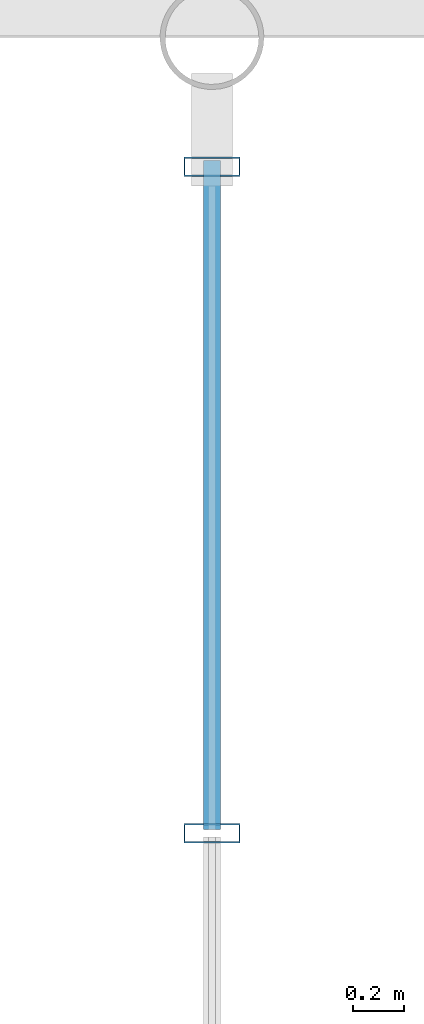
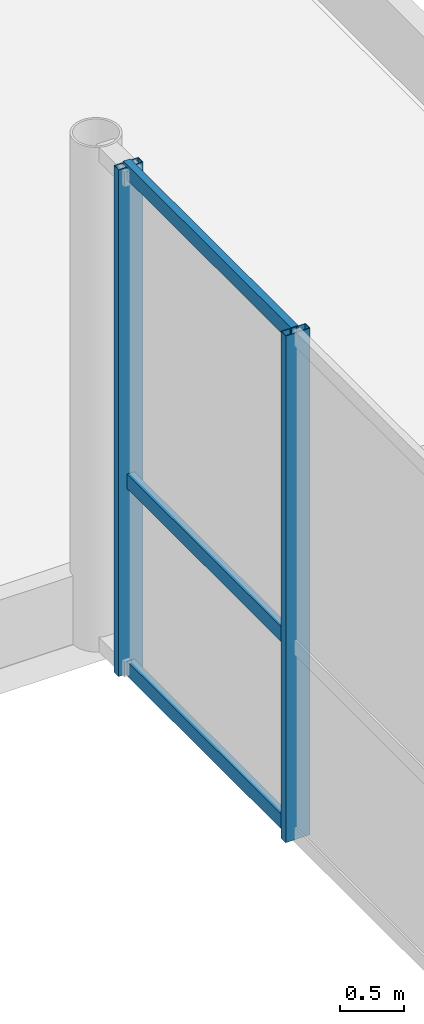
# One storey, part 51 of 123: 5 members, 1 element without a shape of its own.
"""IFC4 building model written with IfcOpenShell, lengths in metres."""

from ifc_helpers import new_model, si_unit, direction, frame, origin, origin_2d, place, context, subcontext, project, spatial, hollow_rectangle, extrude, material, material_profile, profile_set, type_object, element, aggregate, save


model = new_model("IFC4")

# Units and contexts
model_context = context("Model", 3, precision=1e-05, world=origin(), true_north=direction((0.0, 1.0)))
body_context = subcontext(model_context, "Body", "Model", "MODEL_VIEW")
ifc_project = project(units=[si_unit("LENGTHUNIT", "METRE"), si_unit("AREAUNIT", "SQUARE_METRE"), si_unit("VOLUMEUNIT", "CUBIC_METRE"), si_unit("PLANEANGLEUNIT", "RADIAN"), si_unit("MASSUNIT", "GRAM", prefix="KILO"), si_unit("THERMODYNAMICTEMPERATUREUNIT", "KELVIN"), si_unit("POWERUNIT", "WATT")], contexts=[model_context])

# Site, building, storey
site_placement = place(None, origin())
site = spatial("IfcSite", under=ifc_project, at=site_placement, CompositionType="ELEMENT")
building_placement = place(site_placement, origin())
building = spatial("IfcBuilding", under=site, at=building_placement, Name="Phaisarnlok Congress Hotel", CompositionType="ELEMENT")
storey_placement = place(building_placement, frame((0.0, 0.0, 15.0)))
storey = spatial("IfcBuildingStorey", under=building, at=storey_placement, Name="L03", CompositionType="ELEMENT", Elevation=15.0)

# Curtain wall, members
ifc_material_1 = material(Name="Thermally Broken Unitised Aluminium & Low-E Glazing", Category="aluminium")
curtain_wall_type = type_object("IfcCurtainWallType", Name="CW-UNIT-46", PredefinedType="NOTDEFINED", material=ifc_material_1)
curtain_wall_placement = place(storey_placement, origin())
curtain_wall = element("IfcCurtainWall", 1, at=curtain_wall_placement, inside=storey, type_object=curtain_wall_type, Name="Unitised curtain wall CW-46 (L03)", PredefinedType="NOTDEFINED")
ifc_material_2 = material(Name="Anodised Aluminium Alloy 6063-T6", Category="aluminium")
ifc_material_profile_1 = material_profile(ifc_material_2, hollow_rectangle(XDim=0.074951171875, YDim=0.219970703125, WallThickness=0.0048828125, at=origin_2d()), Name="ALU-M 75x220x5")
ifc_profile_set_1 = profile_set([ifc_material_profile_1], Name="Anodised Aluminium Alloy 6063-T6")
member_type_1 = type_object("IfcMemberType", Name="CWM-220", PredefinedType="MULLION", material=ifc_profile_set_1)
member_1_placement = place(storey_placement, frame((120.0, 83.4951171875, -0.010009765625), z_axis=(0.0, 0.0, 1.0), x_axis=(0.0, -1.0, 0.0)))
member_1 = element("IfcMember", 2, at=member_1_placement, type_object=member_type_1, Name="Curtain wall mullion CWM-02", PredefinedType="MULLION", context=body_context, shape_type="SweptSolid", body=[
    extrude(hollow_rectangle(XDim=0.074951171875, YDim=0.219970703125, WallThickness=0.0048828125, at=origin_2d()), origin(), (0.0, 0.0, 1.0), 4.820068359375),
])
member_2_placement = place(storey_placement, frame((120.0, 80.889892578125, -0.010009765625), z_axis=(0.0, 0.0, 1.0), x_axis=(0.0, -1.0, 0.0)))
member_2 = element("IfcMember", 3, at=member_2_placement, type_object=member_type_1, Name="Curtain wall mullion CWM-02", PredefinedType="MULLION", context=body_context, shape_type="SweptSolid", body=[
    extrude(hollow_rectangle(XDim=0.074951171875, YDim=0.219970703125, WallThickness=0.0048828125, at=origin_2d()), origin(), (0.0, 0.0, 1.0), 4.820068359375),
])
ifc_material_profile_2 = material_profile(ifc_material_2, hollow_rectangle(XDim=0.06494140625, YDim=0.139892578125, WallThickness=0.00390625, at=origin_2d()), Name="ALU-T 65x140x4")
ifc_profile_set_2 = profile_set([ifc_material_profile_2], Name="Anodised Aluminium Alloy 6063-T6")
member_type_2 = type_object("IfcMemberType", Name="CWT-150", PredefinedType="USERDEFINED", material=ifc_profile_set_2)
member_3_placement = place(storey_placement, frame((120.0, 83.52001953125, 0.0400390625), z_axis=(0.0, -1.0, 0.0), x_axis=(1.0, 0.0, 0.0)))
member_3 = element("IfcMember", 4, at=member_3_placement, type_object=member_type_2, Name="Curtain wall transom CWT-01", ObjectType="TRANSOM", PredefinedType="USERDEFINED", context=body_context, shape_type="SweptSolid", body=[
    extrude(hollow_rectangle(XDim=0.06494140625, YDim=0.139892578125, WallThickness=0.00390625, at=origin_2d()), origin(), (0.0, 0.0, 1.0), 2.614990234375),
])
member_4_placement = place(storey_placement, frame((120.0, 83.52001953125, 1.821533203125), z_axis=(0.0, -1.0, 0.0), x_axis=(1.0, 0.0, 0.0)))
member_4 = element("IfcMember", 5, at=member_4_placement, type_object=member_type_2, Name="Curtain wall transom CWT-01", ObjectType="TRANSOM", PredefinedType="USERDEFINED", context=body_context, shape_type="SweptSolid", body=[
    extrude(hollow_rectangle(XDim=0.06494140625, YDim=0.139892578125, WallThickness=0.00390625, at=origin_2d()), origin(), (0.0, 0.0, 1.0), 2.614990234375),
])
member_5_placement = place(storey_placement, frame((120.0, 83.52001953125, 4.760009765625), z_axis=(0.0, -1.0, 0.0), x_axis=(1.0, 0.0, 0.0)))
member_5 = element("IfcMember", 6, at=member_5_placement, type_object=member_type_2, Name="Curtain wall transom CWT-01", ObjectType="TRANSOM", PredefinedType="USERDEFINED", context=body_context, shape_type="SweptSolid", body=[
    extrude(hollow_rectangle(XDim=0.06494140625, YDim=0.139892578125, WallThickness=0.00390625, at=origin_2d()), origin(), (0.0, 0.0, 1.0), 2.614990234375),
])
aggregate(curtain_wall, [member_1, member_2, member_3, member_4, member_5])

save(model, "model.ifc")
